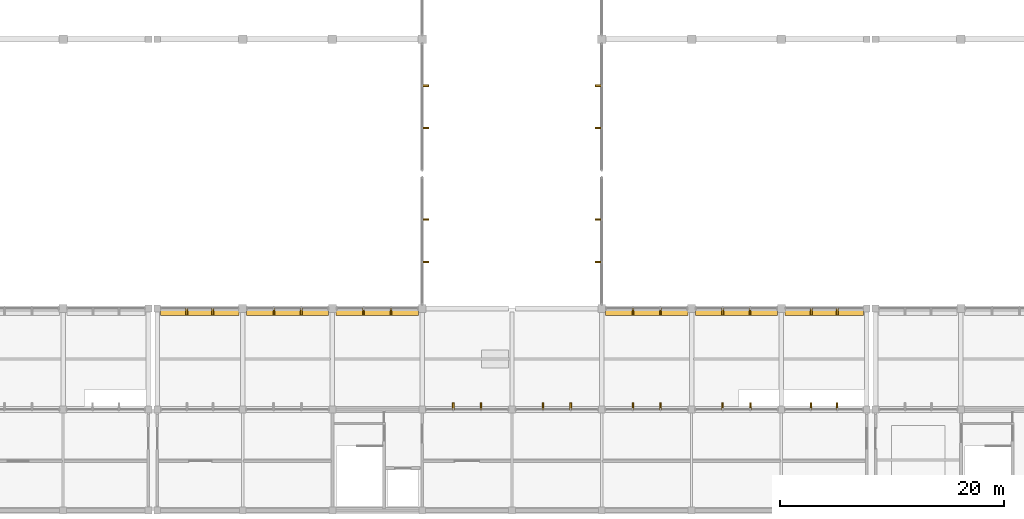
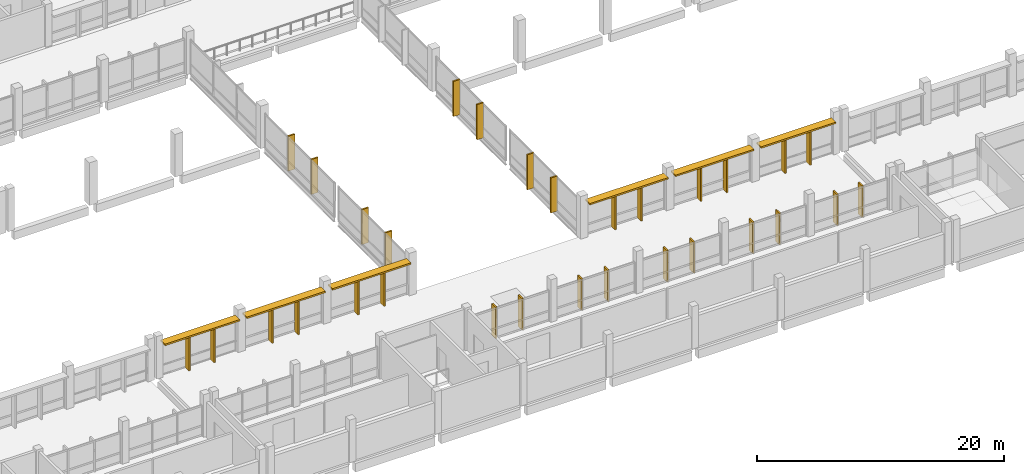
# One storey, part 66 of 70: 36 shading devices.
"""IFC4 building model written with IfcOpenShell, lengths in metres."""

from ifc_helpers import new_model, si_unit, direction, frame, origin, origin_2d, place, context, subcontext, project, spatial, rectangle, extrude, material, type_object, element, save


model = new_model("IFC4")

# Units and contexts
model_context = context("Model", 3, precision=1e-05, world=origin(), true_north=direction((0.0, 1.0)))
body_context = subcontext(model_context, "Body", "Model", "MODEL_VIEW")
ifc_project = project(units=[si_unit("LENGTHUNIT", "METRE"), si_unit("AREAUNIT", "SQUARE_METRE"), si_unit("VOLUMEUNIT", "CUBIC_METRE"), si_unit("PLANEANGLEUNIT", "RADIAN"), si_unit("MASSUNIT", "GRAM", prefix="KILO"), si_unit("THERMODYNAMICTEMPERATUREUNIT", "KELVIN"), si_unit("POWERUNIT", "WATT")], contexts=[model_context])

# Site, building, storey
site_placement = place(None, origin())
site = spatial("IfcSite", under=ifc_project, at=site_placement, CompositionType="ELEMENT")
building_placement = place(site_placement, origin())
building = spatial("IfcBuilding", under=site, at=building_placement, Name="Kronsvod Quay Wholesale Market", CompositionType="ELEMENT")
storey_placement = place(building_placement, frame((0.0, 0.0, 9.0)))
storey = spatial("IfcBuildingStorey", under=building, at=storey_placement, Name="L02", CompositionType="ELEMENT", Elevation=9.0)

# Shading devices
ifc_material_1 = material(Name="Anodised aluminium", Category="aluminium")
shading_device_type_1 = type_object("IfcShadingDeviceType", Name="Shade_SolarFin", PredefinedType="AWNING", material=ifc_material_1)
for number, where, z_axis, x_axis, name in (
    (1, (90.764892578125, 45.280029296875, -0.02001953125), (0.0, 0.0, 1.0), (1.0, 0.0, 0.0), "SHDF-CWGX-L02-880-450-908"),
    (2, (93.235107421875, 45.280029296875, -0.02001953125), (0.0, 0.0, 1.0), (1.0, 0.0, 0.0), "SHDF-CWGX-L02-880-450-932"),
    (3, (98.764892578125, 45.280029296875, -0.02001953125), (0.0, 0.0, 1.0), (1.0, 0.0, 0.0), "SHDF-CWGX-L02-960-450-988"),
    (4, (101.235107421875, 45.280029296875, -0.02001953125), (0.0, 0.0, 1.0), (1.0, 0.0, 0.0), "SHDF-CWGX-L02-960-450-1012"),
    (5, (106.764892578125, 45.280029296875, -0.02001953125), (0.0, 0.0, 1.0), (1.0, 0.0, 0.0), "SHDF-CWGX-L02-1040-450-1068"),
    (6, (109.235107421875, 45.280029296875, -0.02001953125), (0.0, 0.0, 1.0), (1.0, 0.0, 0.0), "SHDF-CWGX-L02-1040-450-1092"),
    (7, (114.764892578125, 45.280029296875, -0.02001953125), (0.0, 0.0, 1.0), (1.0, 0.0, 0.0), "SHDF-CWGX-L02-1120-450-1148"),
    (8, (117.235107421875, 45.280029296875, -0.02001953125), (0.0, 0.0, 1.0), (1.0, 0.0, 0.0), "SHDF-CWGX-L02-1120-450-1172"),
    (9, (122.631591796875, 45.280029296875, -0.02001953125), (0.0, 0.0, 1.0), (1.0, 0.0, 0.0), "SHDF-CWGX-L02-1200-450-1226"),
    (10, (124.96826171875, 45.280029296875, -0.02001953125), (0.0, 0.0, 1.0), (1.0, 0.0, 0.0), "SHDF-CWGX-L02-1200-450-1250"),
):
    element("IfcShadingDevice", number, at=place(storey_placement, frame(where, z_axis=z_axis, x_axis=x_axis)), inside=storey, type_object=shading_device_type_1, Name=name, PredefinedType="AWNING", context=body_context, shape_type="SweptSolid", body=[
        extrude(rectangle(XDim=0.139892578125, YDim=0.6201171875, at=origin_2d()), origin(), (0.0, 0.0, 1.0), 3.090087890625),
    ])
for number, where, z_axis, x_axis, name in (
    (11, (67.014892578125, 53.719970703125, -0.02001953125), (0.0, 0.0, 1.0), (1.0, 0.0, 0.0), "SHDF-CWGX-L02-644-540-670"),
    (12, (69.3349609375, 53.719970703125, -0.02001953125), (0.0, 0.0, 1.0), (1.0, 0.0, 0.0), "SHDF-CWGX-L02-644-540-693"),
    (13, (74.78173828125, 53.719970703125, -0.02001953125), (0.0, 0.0, 1.0), (1.0, 0.0, 0.0), "SHDF-CWGX-L02-720-540-748"),
    (14, (77.21826171875, 53.719970703125, -0.02001953125), (0.0, 0.0, 1.0), (1.0, 0.0, 0.0), "SHDF-CWGX-L02-720-540-772"),
    (15, (82.78173828125, 53.719970703125, -0.02001953125), (0.0, 0.0, 1.0), (1.0, 0.0, 0.0), "SHDF-CWGX-L02-800-540-828"),
    (16, (85.21826171875, 53.719970703125, -0.02001953125), (0.0, 0.0, 1.0), (1.0, 0.0, 0.0), "SHDF-CWGX-L02-800-540-852"),
    (17, (106.78173828125, 53.719970703125, -0.02001953125), (0.0, 0.0, 1.0), (1.0, 0.0, 0.0), "SHDF-CWGX-L02-1040-540-1068"),
    (18, (109.21826171875, 53.719970703125, -0.02001953125), (0.0, 0.0, 1.0), (1.0, 0.0, 0.0), "SHDF-CWGX-L02-1040-540-1092"),
    (19, (114.78173828125, 53.719970703125, -0.02001953125), (0.0, 0.0, 1.0), (1.0, 0.0, 0.0), "SHDF-CWGX-L02-1120-540-1148"),
    (20, (117.21826171875, 53.719970703125, -0.02001953125), (0.0, 0.0, 1.0), (1.0, 0.0, 0.0), "SHDF-CWGX-L02-1120-540-1172"),
    (21, (122.6650390625, 53.719970703125, -0.02001953125), (0.0, 0.0, 1.0), (1.0, 0.0, 0.0), "SHDF-CWGX-L02-1200-540-1227"),
    (22, (124.985107421875, 53.719970703125, -0.02001953125), (0.0, 0.0, 1.0), (1.0, 0.0, 0.0), "SHDF-CWGX-L02-1200-540-1250"),
):
    element("IfcShadingDevice", number, at=place(storey_placement, frame(where, z_axis=z_axis, x_axis=x_axis)), inside=storey, type_object=shading_device_type_1, Name=name, PredefinedType="AWNING", context=body_context, shape_type="SweptSolid", body=[
        extrude(rectangle(XDim=0.139892578125, YDim=0.6201171875, at=origin_2d()), origin(), (0.0, 0.0, 1.0), 3.4599609375),
    ])
for number, where, z_axis, x_axis, name in (
    (23, (88.280029296875, 58.131591796875, -0.02001953125), (0.0, 0.0, 1.0), (1.0, 0.0, 0.0), "SHDF-CWGY-L02-880-540-581"),
    (24, (88.280029296875, 61.918212890625, -0.02001953125), (0.0, 0.0, 1.0), (1.0, 0.0, 0.0), "SHDF-CWGY-L02-880-540-619"),
    (25, (88.280029296875, 70.0732421875, -0.02001953125), (0.0, 0.0, 1.0), (1.0, 0.0, 0.0), "SHDF-CWGY-L02-880-660-701"),
    (26, (88.280029296875, 73.851806640625, -0.02001953125), (0.0, 0.0, 1.0), (1.0, 0.0, 0.0), "SHDF-CWGY-L02-880-660-739"),
    (27, (103.719970703125, 58.131591796875, -0.02001953125), (0.0, 0.0, 1.0), (1.0, 0.0, 0.0), "SHDF-CWGY-L02-1040-540-581"),
    (28, (103.719970703125, 61.918212890625, -0.02001953125), (0.0, 0.0, 1.0), (1.0, 0.0, 0.0), "SHDF-CWGY-L02-1040-540-619"),
    (29, (103.719970703125, 70.0732421875, -0.02001953125), (0.0, 0.0, 1.0), (1.0, 0.0, 0.0), "SHDF-CWGY-L02-1040-660-701"),
    (30, (103.719970703125, 73.851806640625, -0.02001953125), (0.0, 0.0, 1.0), (1.0, 0.0, 0.0), "SHDF-CWGY-L02-1040-660-739"),
):
    element("IfcShadingDevice", number, at=place(storey_placement, frame(where, z_axis=z_axis, x_axis=x_axis)), inside=storey, type_object=shading_device_type_1, Name=name, PredefinedType="AWNING", context=body_context, shape_type="SweptSolid", body=[
        extrude(rectangle(XDim=0.6201171875, YDim=0.139892578125, at=origin_2d()), origin(), (0.0, 0.0, 1.0), 3.4599609375),
    ])
ifc_material_2 = material(Name="Anodised aluminium sunshade hood", Category="aluminium")
shading_device_type_2 = type_object("IfcShadingDeviceType", Name="Shade_SunHood", PredefinedType="AWNING", material=ifc_material_2)
shading_device_1_placement = place(storey_placement, frame((68.175048828125, 53.719970703125, 3.2998046875), z_axis=(0.0, 0.0, 1.0), x_axis=(1.0, 0.0, 0.0)))
element("IfcShadingDevice", 31, at=shading_device_1_placement, inside=storey, type_object=shading_device_type_2, Name="SHDH-CWGX-L02-644-540", PredefinedType="AWNING", context=body_context, shape_type="SweptSolid", body=[
    extrude(rectangle(XDim=6.97998046875, YDim=0.719970703125, at=origin_2d()), origin(), (0.0, 0.0, 1.0), 0.159912109375),
])
for number, where, z_axis, x_axis, name in (
    (32, (76.0, 53.719970703125, 3.2998046875), (0.0, 0.0, 1.0), (1.0, 0.0, 0.0), "SHDH-CWGX-L02-720-540"),
    (33, (84.0, 53.719970703125, 3.2998046875), (0.0, 0.0, 1.0), (1.0, 0.0, 0.0), "SHDH-CWGX-L02-800-540"),
    (34, (108.0, 53.719970703125, 3.2998046875), (0.0, 0.0, 1.0), (1.0, 0.0, 0.0), "SHDH-CWGX-L02-1040-540"),
    (35, (116.0, 53.719970703125, 3.2998046875), (0.0, 0.0, 1.0), (1.0, 0.0, 0.0), "SHDH-CWGX-L02-1120-540"),
):
    element("IfcShadingDevice", number, at=place(storey_placement, frame(where, z_axis=z_axis, x_axis=x_axis)), inside=storey, type_object=shading_device_type_2, Name=name, PredefinedType="AWNING", context=body_context, shape_type="SweptSolid", body=[
        extrude(rectangle(XDim=7.330078125, YDim=0.719970703125, at=origin_2d()), origin(), (0.0, 0.0, 1.0), 0.159912109375),
    ])
shading_device_2_placement = place(storey_placement, frame((123.824951171875, 53.719970703125, 3.2998046875), z_axis=(0.0, 0.0, 1.0), x_axis=(1.0, 0.0, 0.0)))
element("IfcShadingDevice", 36, at=shading_device_2_placement, inside=storey, type_object=shading_device_type_2, Name="SHDH-CWGX-L02-1200-540", PredefinedType="AWNING", context=body_context, shape_type="SweptSolid", body=[
    extrude(rectangle(XDim=6.97998046875, YDim=0.719970703125, at=origin_2d()), origin(), (0.0, 0.0, 1.0), 0.159912109375),
])

save(model, "model.ifc")
